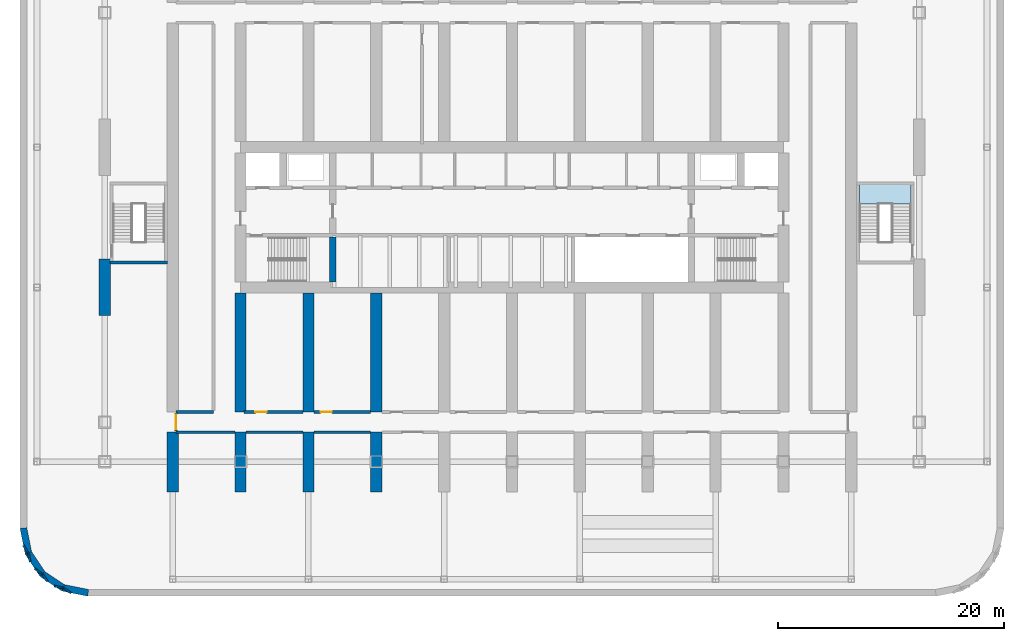
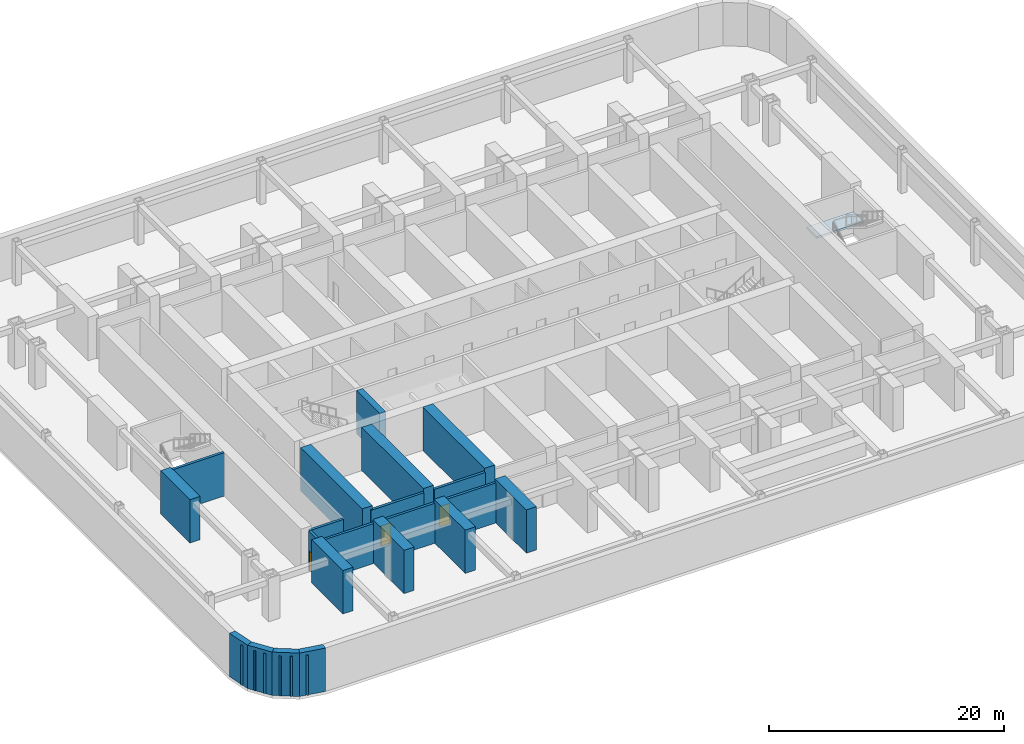
# One storey, part 2 of 16: 27 walls, 3 doors, 1 slab, 3 openings, 1 element without a shape of its own.
"""IFC4 building model written with IfcOpenShell, lengths in metres."""

from ifc_helpers import new_model, si_unit, direction, frame, frame_2d, origin, place, context, subcontext, project, spatial, polyline, rectangle, outline, extrude, material, layer, layer_set, type_object, element, fill, aggregate, save


model = new_model("IFC4")

# Units and contexts
model_context = context("Model", 3, precision=1e-05, world=origin(), true_north=direction((0.0, 1.0)))
body_context = subcontext(model_context, "Body", "Model", "MODEL_VIEW")
ifc_project = project(units=[si_unit("LENGTHUNIT", "METRE"), si_unit("AREAUNIT", "SQUARE_METRE"), si_unit("VOLUMEUNIT", "CUBIC_METRE"), si_unit("PLANEANGLEUNIT", "RADIAN"), si_unit("MASSUNIT", "GRAM", prefix="KILO")], contexts=[model_context])

# Site, building, storey
site_placement = place(None, origin())
site = spatial("IfcSite", under=ifc_project, at=site_placement, CompositionType="ELEMENT")
building_placement = place(site_placement, origin())
building = spatial("IfcBuilding", under=site, at=building_placement, Name="Orbita Commons", CompositionType="ELEMENT")
storey_placement = place(building_placement, frame((0.0, 0.0, -4.5)))
storey = spatial("IfcBuildingStorey", under=building, at=storey_placement, Name="L-01", CompositionType="ELEMENT", Elevation=-4.5)

# Stair, slab
ifc_material_1 = material(Name="Precast concrete C40/50", Category="concrete")
stair_type = type_object("IfcStairType", Name="Podium exit stair 2 flights 13 risers 173", PredefinedType="HALF_TURN_STAIR", material=ifc_material_1)
stair_placement = place(storey_placement, origin())
stair = element("IfcStair", 1, at=stair_placement, inside=storey, type_object=stair_type, Name="Podium exit stair PS2 L-01", PredefinedType="HALF_TURN_STAIR")
ifc_material_2 = material(Name="Concrete C40/50", Category="concrete")
ifc_layer_1 = layer(ifc_material_2, 0.199951171875)
ifc_layer_set_1 = layer_set([ifc_layer_1], Name="Concrete C40/50")
slab_type = type_object("IfcSlabType", Name="Stair landing 200", PredefinedType="LANDING", material=ifc_layer_set_1)
slab_placement = place(storey_placement, frame((0.0, 0.0, 2.050048828125)))
slab = element("IfcSlab", 2, at=slab_placement, type_object=slab_type, Name="PS2 landing 2", PredefinedType="LANDING", context=body_context, shape_type="SweptSolid", body=[
    extrude(outline(polyline([(72.7099609375, 33.179931640625), (77.2900390625, 33.179931640625), (77.2900390625, 34.889892578125), (72.7099609375, 34.889892578125), (72.7099609375, 33.179931640625)])), origin(), (0.0, 0.0, 1.0), 0.199951171875),
])
aggregate(stair, [slab])

# Walls
ifc_material_3 = material(Name="Concrete blockwork", Category="masonry")
ifc_layer_2 = layer(ifc_material_3, 0.25)
ifc_layer_set_2 = layer_set([ifc_layer_2], Name="Concrete blockwork")
wall_type_1 = type_object("IfcWallType", Name="Basement wall 250 blockwork", PredefinedType="SOLIDWALL", material=ifc_layer_set_2)
wall_1_placement = place(storey_placement, frame((12.300048828125, 13.0, 0.0), z_axis=(0.0, 0.0, 1.0), x_axis=(1.0, 0.0, 0.0)))
element("IfcWall", 3, at=wall_1_placement, inside=storey, type_object=wall_type_1, Name="Basement wall 250 blockwork L-01", PredefinedType="SOLIDWALL", context=body_context, shape_type="SweptSolid", body=[
    extrude(rectangle(XDim=5.199951171875, YDim=0.25, at=frame_2d((2.60009765625, 0.0))), origin(), (0.0, 0.0, 1.0), 4.14990234375),
])
for number, where, z_axis, x_axis, name in (
    (4, (18.5, 13.0, 0.0), (0.0, 0.0, 1.0), (1.0, 0.0, 0.0), "Basement wall 250 blockwork L-01"),
    (5, (24.5, 13.0, 0.0), (0.0, 0.0, 1.0), (1.0, 0.0, 0.0), "Basement wall 250 blockwork L-01"),
):
    element("IfcWall", number, at=place(storey_placement, frame(where, z_axis=z_axis, x_axis=x_axis)), inside=storey, type_object=wall_type_1, Name=name, PredefinedType="SOLIDWALL", context=body_context, shape_type="SweptSolid", body=[
        extrude(rectangle(XDim=5.0, YDim=0.25, at=frame_2d((2.5, 0.0))), origin(), (0.0, 0.0, 1.0), 4.14990234375),
    ])
wall_2_placement = place(storey_placement, frame((12.300048828125, 14.800048828125, 0.0), z_axis=(0.0, 0.0, 1.0), x_axis=(1.0, 0.0, 0.0)))
element("IfcWall", 6, at=wall_2_placement, inside=storey, type_object=wall_type_1, Name="Basement wall 250 blockwork L-01", PredefinedType="SOLIDWALL", context=body_context, shape_type="SweptSolid", body=[
    extrude(rectangle(XDim=3.300048828125, YDim=0.25, at=frame_2d((1.64990234375, 0.0))), origin(), (0.0, 0.0, 1.0), 4.14990234375),
])

# Wall, opening, door
wall_3_placement = place(storey_placement, frame((18.300048828125, 14.800048828125, 0.0), z_axis=(0.0, 0.0, 1.0), x_axis=(1.0, 0.0, 0.0)))
wall_3 = element("IfcWall", 7, at=wall_3_placement, inside=storey, type_object=wall_type_1, Name="Basement wall 250 blockwork L-01", PredefinedType="SOLIDWALL", context=body_context, shape_type="SweptSolid", body=[
    extrude(rectangle(XDim=5.199951171875, YDim=0.25, at=frame_2d((2.60009765625, 0.0))), origin(), (0.0, 0.0, 1.0), 4.14990234375),
])
opening_1_placement = place(wall_3_placement, frame((1.0, 0.0, 0.0)))
opening_1 = element("IfcOpeningElement", 8, at=opening_1_placement, cuts=wall_3, Name="Opening D06", PredefinedType="OPENING", context=body_context, shape_type="SweptSolid", body=[
    extrude(rectangle(XDim=1.0, YDim=2.10009765625, at=frame_2d((0.5, 1.050048828125))), frame((0.0, 0.135009765625, 0.0), z_axis=(0.0, -1.0, 0.0), x_axis=(1.0, 0.0, 0.0)), (0.0, 0.0, 1.0), 0.27001953125),
])
ifc_material_4 = material(Name="Steel-faced fire door leaf", Category="steel")
door_type_1 = type_object("IfcDoorType", Name="Corridor door 20 min 1000x2100", OperationType="SINGLE_SWING_LEFT", PredefinedType="DOOR", material=ifc_material_4)
door_1_placement = place(opening_1_placement, origin())
door_1 = element("IfcDoor", 9, at=door_1_placement, inside=storey, type_object=door_type_1, Name="Room door", OperationType="SINGLE_SWING_LEFT", OverallHeight=2.10009765625, OverallWidth=1.0, PredefinedType="DOOR", context=body_context, shape_type="SweptSolid", body=[
    extrude(rectangle(XDim=1.0, YDim=2.10009765625, at=frame_2d((0.5, 1.050048828125))), frame((0.0, 0.02490234375, 0.0), z_axis=(0.0, -1.0, 0.0), x_axis=(1.0, 0.0, 0.0)), (0.0, 0.0, 1.0), 0.050048828125),
])
fill(opening_1, door_1)

wall_4_placement = place(storey_placement, frame((24.5, 14.800048828125, 0.0), z_axis=(0.0, 0.0, 1.0), x_axis=(1.0, 0.0, 0.0)))
wall_4 = element("IfcWall", 10, at=wall_4_placement, inside=storey, type_object=wall_type_1, Name="Basement wall 250 blockwork L-01", PredefinedType="SOLIDWALL", context=body_context, shape_type="SweptSolid", body=[
    extrude(rectangle(XDim=5.0, YDim=0.25, at=frame_2d((2.5, 0.0))), origin(), (0.0, 0.0, 1.0), 4.14990234375),
])
opening_2_placement = place(wall_4_placement, frame((0.574951171875, 0.0, 0.0)))
opening_2 = element("IfcOpeningElement", 11, at=opening_2_placement, cuts=wall_4, Name="Opening D06", PredefinedType="OPENING", context=body_context, shape_type="SweptSolid", body=[
    extrude(rectangle(XDim=1.0, YDim=2.10009765625, at=frame_2d((0.5, 1.050048828125))), frame((0.0, 0.135009765625, 0.0), z_axis=(0.0, -1.0, 0.0), x_axis=(1.0, 0.0, 0.0)), (0.0, 0.0, 1.0), 0.27001953125),
])
door_2_placement = place(opening_2_placement, origin())
door_2 = element("IfcDoor", 12, at=door_2_placement, inside=storey, type_object=door_type_1, Name="Room door", OperationType="SINGLE_SWING_LEFT", OverallHeight=2.10009765625, OverallWidth=1.0, PredefinedType="DOOR", context=body_context, shape_type="SweptSolid", body=[
    extrude(rectangle(XDim=1.0, YDim=2.10009765625, at=frame_2d((0.5, 1.050048828125))), frame((0.0, 0.02490234375, 0.0), z_axis=(0.0, -1.0, 0.0), x_axis=(1.0, 0.0, 0.0)), (0.0, 0.0, 1.0), 0.050048828125),
])
fill(opening_2, door_2)

wall_5_placement = place(storey_placement, frame((12.300048828125, 13.10009765625, 0.0), z_axis=(0.0, 0.0, 1.0), x_axis=(0.0, 1.0, 0.0)))
wall_5 = element("IfcWall", 13, at=wall_5_placement, inside=storey, type_object=wall_type_1, Name="Basement wall 250 blockwork L-01", PredefinedType="SOLIDWALL", context=body_context, shape_type="SweptSolid", body=[
    extrude(rectangle(XDim=1.599853515625, YDim=0.25, at=frame_2d((0.7998046875, 0.0))), origin(), (0.0, 0.0, 1.0), 4.14990234375),
])
opening_3_placement = place(wall_5_placement, frame((0.10009765625, 0.0, 0.0)))
opening_3 = element("IfcOpeningElement", 14, at=opening_3_placement, cuts=wall_5, Name="Opening D08", PredefinedType="OPENING", context=body_context, shape_type="SweptSolid", body=[
    extrude(rectangle(XDim=1.39990234375, YDim=2.10009765625, at=frame_2d((0.699951171875, 1.050048828125))), frame((0.0, 0.135009765625, 0.0), z_axis=(0.0, -1.0, 0.0), x_axis=(1.0, 0.0, 0.0)), (0.0, 0.0, 1.0), 0.27001953125),
])
ifc_material_5 = material(Name="Steel-faced fire door leaf", Category="steel")
door_type_2 = type_object("IfcDoorType", Name="Double corridor door 20 min 1400x2100", OperationType="DOUBLE_DOOR_SINGLE_SWING", PredefinedType="DOOR", material=ifc_material_5)
door_3_placement = place(opening_3_placement, origin())
door_3 = element("IfcDoor", 15, at=door_3_placement, inside=storey, type_object=door_type_2, Name="End room doors", OperationType="DOUBLE_DOOR_SINGLE_SWING", OverallHeight=2.10009765625, OverallWidth=1.39990234375, PredefinedType="DOOR", context=body_context, shape_type="SweptSolid", body=[
    extrude(rectangle(XDim=1.39990234375, YDim=2.10009765625, at=frame_2d((0.699951171875, 1.050048828125))), frame((0.0, 0.02490234375, 0.0), z_axis=(0.0, -1.0, 0.0), x_axis=(1.0, 0.0, 0.0)), (0.0, 0.0, 1.0), 0.050048828125),
])
fill(opening_3, door_3)

# Walls
ifc_material_6 = material(Name="Concrete C50/60", Category="concrete")
ifc_layer_3 = layer(ifc_material_6, 0.60009765625)
ifc_layer_set_3 = layer_set([ifc_layer_3], Name="Concrete C50/60")
wall_type_2 = type_object("IfcWallType", Name="Core inner wall 600 C50/60", PredefinedType="SHEAR", material=ifc_layer_set_3)
wall_6_placement = place(storey_placement, frame((26.14990234375, 26.300048828125, 0.0), z_axis=(0.0, 0.0, 1.0), x_axis=(0.0, 1.0, 0.0)))
element("IfcWall", 16, at=wall_6_placement, inside=storey, type_object=wall_type_2, Name="Stair S1 wall L-01", PredefinedType="SHEAR", context=body_context, shape_type="SweptSolid", body=[
    extrude(rectangle(XDim=3.949951171875, YDim=0.60009765625, at=frame_2d((1.97509765625, 0.0))), origin(), (0.0, 0.0, 1.0), 4.5),
])
ifc_material_7 = material(Name="Concrete C50/60", Category="concrete")
ifc_layer_4 = layer(ifc_material_7, 1.0)
ifc_layer_set_4 = layer_set([ifc_layer_4], Name="Concrete C50/60")
wall_type_3 = type_object("IfcWallType", Name="Cross wall 1000 C50/60", PredefinedType="SHEAR", material=ifc_layer_set_4)
for number, where, z_axis, x_axis, name in (
    (17, (12.0, 7.699951171875, 0.0), (0.0, 0.0, 1.0), (0.0, 1.0, 0.0), "Cross wall 3 south outer L-01"),
    (18, (18.0, 7.699951171875, 0.0), (0.0, 0.0, 1.0), (0.0, 1.0, 0.0), "Cross wall 4 south outer L-01"),
):
    element("IfcWall", number, at=place(storey_placement, frame(where, z_axis=z_axis, x_axis=x_axis)), inside=storey, type_object=wall_type_3, Name=name, PredefinedType="SHEAR", context=body_context, shape_type="SweptSolid", body=[
        extrude(rectangle(XDim=5.300048828125, YDim=1.0, at=frame_2d((2.64990234375, 0.0))), origin(), (0.0, 0.0, 1.0), 4.5),
    ])
wall_7_placement = place(storey_placement, frame((18.0, 14.800048828125, 0.0), z_axis=(0.0, 0.0, 1.0), x_axis=(0.0, 1.0, 0.0)))
element("IfcWall", 19, at=wall_7_placement, inside=storey, type_object=wall_type_3, Name="Cross wall 4 south inner L-01", PredefinedType="SHEAR", context=body_context, shape_type="SweptSolid", body=[
    extrude(rectangle(XDim=10.5, YDim=1.0, at=frame_2d((5.25, 0.0))), origin(), (0.0, 0.0, 1.0), 4.5),
])
wall_8_placement = place(storey_placement, frame((24.0, 7.699951171875, 0.0), z_axis=(0.0, 0.0, 1.0), x_axis=(0.0, 1.0, 0.0)))
element("IfcWall", 20, at=wall_8_placement, inside=storey, type_object=wall_type_3, Name="Cross wall 5 south outer L-01", PredefinedType="SHEAR", context=body_context, shape_type="SweptSolid", body=[
    extrude(rectangle(XDim=5.300048828125, YDim=1.0, at=frame_2d((2.64990234375, 0.0))), origin(), (0.0, 0.0, 1.0), 4.5),
])
wall_9_placement = place(storey_placement, frame((24.0, 14.800048828125, 0.0), z_axis=(0.0, 0.0, 1.0), x_axis=(0.0, 1.0, 0.0)))
element("IfcWall", 21, at=wall_9_placement, inside=storey, type_object=wall_type_3, Name="Cross wall 5 south inner L-01", PredefinedType="SHEAR", context=body_context, shape_type="SweptSolid", body=[
    extrude(rectangle(XDim=10.5, YDim=1.0, at=frame_2d((5.25, 0.0))), origin(), (0.0, 0.0, 1.0), 4.5),
])
wall_10_placement = place(storey_placement, frame((30.0, 7.699951171875, 0.0), z_axis=(0.0, 0.0, 1.0), x_axis=(0.0, 1.0, 0.0)))
element("IfcWall", 22, at=wall_10_placement, inside=storey, type_object=wall_type_3, Name="Cross wall 6 south outer L-01", PredefinedType="SHEAR", context=body_context, shape_type="SweptSolid", body=[
    extrude(rectangle(XDim=5.300048828125, YDim=1.0, at=frame_2d((2.64990234375, 0.0))), origin(), (0.0, 0.0, 1.0), 4.5),
])
wall_11_placement = place(storey_placement, frame((30.0, 14.800048828125, 0.0), z_axis=(0.0, 0.0, 1.0), x_axis=(0.0, 1.0, 0.0)))
element("IfcWall", 23, at=wall_11_placement, inside=storey, type_object=wall_type_3, Name="Cross wall 6 south inner L-01", PredefinedType="SHEAR", context=body_context, shape_type="SweptSolid", body=[
    extrude(rectangle(XDim=10.5, YDim=1.0, at=frame_2d((5.25, 0.0))), origin(), (0.0, 0.0, 1.0), 4.5),
])
ifc_material_8 = material(Name="Concrete C50/60", Category="concrete")
ifc_layer_5 = layer(ifc_material_8, 1.0)
ifc_layer_set_5 = layer_set([ifc_layer_5], Name="Concrete C50/60")
wall_type_4 = type_object("IfcWallType", Name="End pier 1000x5000 C50/60", PredefinedType="SHEAR", material=ifc_layer_set_5)
wall_12_placement = place(storey_placement, frame((6.0, 23.300048828125, 0.0), z_axis=(0.0, 0.0, 1.0), x_axis=(0.0, 1.0, 0.0)))
element("IfcWall", 24, at=wall_12_placement, inside=storey, type_object=wall_type_4, Name="End pier 2/C L-01", PredefinedType="SHEAR", context=body_context, shape_type="SweptSolid", body=[
    extrude(rectangle(XDim=5.0, YDim=1.0, at=frame_2d((2.5, 0.0))), origin(), (0.0, 0.0, 1.0), 4.5),
])
ifc_material_9 = material(Name="Gypsum plasterboard on steel studs", Category="steel")
ifc_layer_6 = layer(ifc_material_9, 0.14990234375)
ifc_layer_set_6 = layer_set([ifc_layer_6], Name="Gypsum plasterboard on steel studs")
wall_type_5 = type_object("IfcWallType", Name="Partition 150 plasterboard", PredefinedType="PARTITIONING", material=ifc_layer_set_6)
wall_13_placement = place(storey_placement, frame((-0.7412109375, 2.222900390625, 0.0), z_axis=(0.0, 0.0, 1.0), x_axis=(0.195249055569, -0.980753692983, 0.0)))
element("IfcWall", 25, at=wall_13_placement, inside=storey, type_object=wall_type_5, Name="Partition 150 plasterboard L-01", PredefinedType="PARTITIONING", context=body_context, shape_type="SweptSolid", body=[
    extrude(rectangle(XDim=0.703857421875, YDim=0.14990234375, at=frame_2d((0.35205078125, 0.0))), origin(), (0.0, 0.0, 1.0), 4.14990234375),
])
wall_14_placement = place(storey_placement, frame((-0.816162109375, 2.404052734375, 0.0), z_axis=(0.0, 0.0, 1.0), x_axis=(-0.555500141576, 0.831516441635, 0.0)))
element("IfcWall", 26, at=wall_14_placement, inside=storey, type_object=wall_type_5, Name="Partition 150 plasterboard L-01", PredefinedType="PARTITIONING", context=body_context, shape_type="SweptSolid", body=[
    extrude(rectangle(XDim=0.7041015625, YDim=0.14990234375, at=frame_2d((0.35205078125, 0.0))), origin(), (0.0, 0.0, 1.0), 4.14990234375),
])
for number, where, z_axis, x_axis, name in (
    (27, (0.529296875, 0.390380859375, 0.0), (0.0, 0.0, 1.0), (0.555660345797, -0.831409393806, 0.0), "Partition 150 plasterboard L-01"),
    (28, (0.390380859375, 0.529296875, 0.0), (0.0, 0.0, 1.0), (-0.831409393806, 0.555660345797, 0.0), "Partition 150 plasterboard L-01"),
):
    element("IfcWall", number, at=place(storey_placement, frame(where, z_axis=z_axis, x_axis=x_axis)), inside=storey, type_object=wall_type_5, Name=name, PredefinedType="PARTITIONING", context=body_context, shape_type="SweptSolid", body=[
        extrude(rectangle(XDim=0.703857421875, YDim=0.14990234375, at=frame_2d((0.35205078125, 0.0))), origin(), (0.0, 0.0, 1.0), 4.14990234375),
    ])
wall_15_placement = place(storey_placement, frame((2.404052734375, -0.816162109375, 0.0), z_axis=(0.0, 0.0, 1.0), x_axis=(0.831516441635, -0.555500141576, 0.0)))
element("IfcWall", 29, at=wall_15_placement, inside=storey, type_object=wall_type_5, Name="Partition 150 plasterboard L-01", PredefinedType="PARTITIONING", context=body_context, shape_type="SweptSolid", body=[
    extrude(rectangle(XDim=0.7041015625, YDim=0.14990234375, at=frame_2d((0.35205078125, 0.0))), origin(), (0.0, 0.0, 1.0), 4.14990234375),
])
wall_16_placement = place(storey_placement, frame((2.222900390625, -0.7412109375, 0.0), z_axis=(0.0, 0.0, 1.0), x_axis=(-0.980753692983, 0.195249055569, 0.0)))
element("IfcWall", 30, at=wall_16_placement, inside=storey, type_object=wall_type_5, Name="Partition 150 plasterboard L-01", PredefinedType="PARTITIONING", context=body_context, shape_type="SweptSolid", body=[
    extrude(rectangle(XDim=0.703857421875, YDim=0.14990234375, at=frame_2d((0.35205078125, 0.0))), origin(), (0.0, 0.0, 1.0), 4.14990234375),
])
ifc_material_10 = material(Name="Concrete C50/60", Category="concrete")
ifc_layer_7 = layer(ifc_material_10, 0.25)
ifc_layer_set_7 = layer_set([ifc_layer_7], Name="Concrete C50/60")
wall_type_6 = type_object("IfcWallType", Name="Podium stair wall 250 RC", PredefinedType="SHEAR", material=ifc_layer_set_7)
wall_17_placement = place(storey_placement, frame((6.47509765625, 28.0, 0.0), z_axis=(0.0, 0.0, 1.0), x_axis=(1.0, 0.0, 0.0)))
element("IfcWall", 31, at=wall_17_placement, inside=storey, type_object=wall_type_6, Name="Podium stair PS1 wall s L-01", PredefinedType="SHEAR", context=body_context, shape_type="SweptSolid", body=[
    extrude(rectangle(XDim=5.0498046875, YDim=0.25, at=frame_2d((2.52490234375, 0.0))), origin(), (0.0, 0.0, 1.0), 4.5),
])
ifc_material_11 = material(Name="Concrete C50/60", Category="concrete")
ifc_layer_8 = layer(ifc_material_11, 0.60009765625)
ifc_layer_set_8 = layer_set([ifc_layer_8], Name="Concrete C50/60")
wall_type_7 = type_object("IfcWallType", Name="Retaining wall 600 C50/60", PredefinedType="SOLIDWALL", material=ifc_layer_set_8)
wall_18_placement = place(storey_placement, frame((-1.199951171875, 4.529541015625, 0.0), z_axis=(0.0, 0.0, 1.0), x_axis=(0.195052642224, -0.980792774628, 0.0)))
element("IfcWall", 32, at=wall_18_placement, inside=storey, type_object=wall_type_7, Name="Basement retaining wall L-01 16", PredefinedType="SOLIDWALL", context=body_context, shape_type="SweptSolid", body=[
    extrude(outline(polyline([(-0.029541015625, -0.300048828125), (2.311279296875, -0.300048828125), (2.192138671875, 0.300048828125), (0.029541015625, 0.300048828125), (-0.029541015625, -0.300048828125)])), origin(), (0.0, 0.0, 1.0), 4.5),
])
for number, where, z_axis, x_axis, name in (
    (33, (-0.7607421875, 2.321044921875, 0.0), (0.0, 0.0, 1.0), (0.555562047437, -0.831475081676, 0.0), "Basement retaining wall L-01 17"),
    (34, (0.4736328125, 0.4736328125, 0.0), (0.0, 0.0, 1.0), (0.831475081676, -0.555562047437, 0.0), "Basement retaining wall L-01 18"),
):
    element("IfcWall", number, at=place(storey_placement, frame(where, z_axis=z_axis, x_axis=x_axis)), inside=storey, type_object=wall_type_7, Name=name, PredefinedType="SOLIDWALL", context=body_context, shape_type="SweptSolid", body=[
        extrude(outline(polyline([(-0.0595703125, -0.300048828125), (2.281494140625, -0.300048828125), (2.162353515625, 0.300048828125), (0.0595703125, 0.300048828125), (-0.0595703125, -0.300048828125)])), origin(), (0.0, 0.0, 1.0), 4.5),
    ])
wall_19_placement = place(storey_placement, frame((2.321044921875, -0.7607421875, 0.0), z_axis=(0.0, 0.0, 1.0), x_axis=(0.980792774628, -0.195052642224, 0.0)))
element("IfcWall", 35, at=wall_19_placement, inside=storey, type_object=wall_type_7, Name="Basement retaining wall L-01 19", PredefinedType="SOLIDWALL", context=body_context, shape_type="SweptSolid", body=[
    extrude(outline(polyline([(-0.0595703125, -0.300048828125), (2.28125, -0.300048828125), (2.22216796875, 0.300048828125), (0.0595703125, 0.300048828125), (-0.0595703125, -0.300048828125)])), origin(), (0.0, 0.0, 1.0), 4.5),
])

save(model, "model.ifc")
